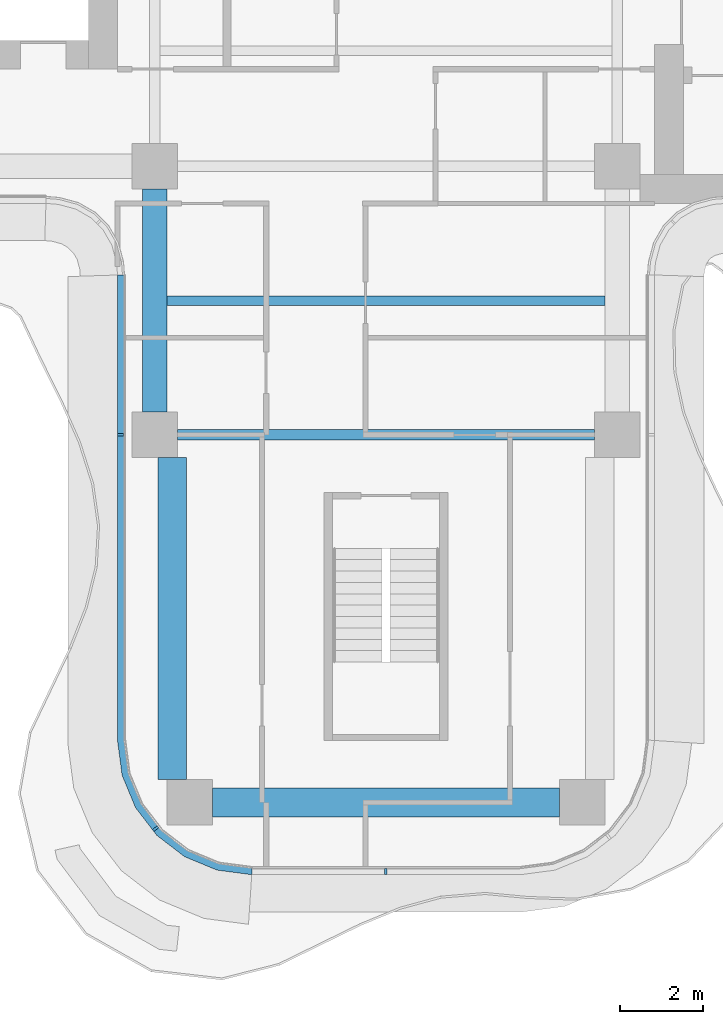
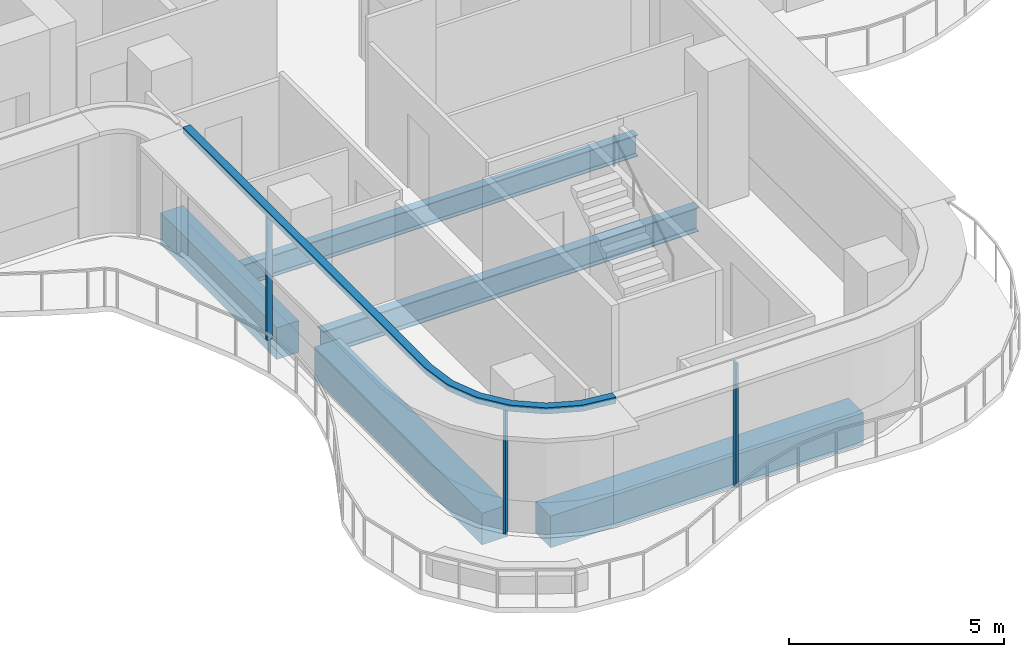
# One storey, part 2 of 17: 5 beams, 4 members, 2 elements without a shape of their own.
"""IFC4 building model written with IfcOpenShell, lengths in metres."""

from ifc_helpers import new_model, si_unit, direction, frame, origin, origin_2d, place, context, subcontext, project, spatial, polyline, rectangle, i_section, outline, extrude, source, transform, mapped, material, layer, layer_set, material_profile, profile_set, type_object, element, aggregate, save


model = new_model("IFC4")

# Units and contexts
model_context = context("Model", 3, precision=1e-05, world=origin(), true_north=direction((0.0, 1.0)))
body_context = subcontext(model_context, "Body", "Model", "MODEL_VIEW")
ifc_project = project(units=[si_unit("LENGTHUNIT", "METRE"), si_unit("AREAUNIT", "SQUARE_METRE"), si_unit("VOLUMEUNIT", "CUBIC_METRE"), si_unit("PLANEANGLEUNIT", "RADIAN"), si_unit("MASSUNIT", "GRAM", prefix="KILO")], contexts=[model_context])

# Site, building, storey
site_placement = place(None, origin())
site = spatial("IfcSite", under=ifc_project, at=site_placement, CompositionType="ELEMENT")
building_placement = place(site_placement, origin())
building = spatial("IfcBuilding", under=site, at=building_placement, Name="Trellis Farm Tower", CompositionType="ELEMENT")
storey_placement = place(building_placement, frame((0.0, 0.0, 259.699951171875)))
storey = spatial("IfcBuildingStorey", under=building, at=storey_placement, Name="L58", CompositionType="ELEMENT", Elevation=259.699951171875)

# Beams
ifc_material_1 = material(Name="Steel S355", Category="steel")
ifc_material_profile_1 = material_profile(ifc_material_1, i_section(OverallWidth=0.22900390625, OverallDepth=0.6123046875, WebThickness=0.011962890625, FlangeThickness=0.01953125, FilletRadius=0.0126953125, at=origin_2d()), Name="UB 610x229x125")
ifc_profile_set_1 = profile_set([ifc_material_profile_1], Name="Steel S355")
beam_type_1 = type_object("IfcBeamType", Name="UB 610x229x125 joist", PredefinedType="JOIST", material=ifc_profile_set_1)
shared_shape_1 = source(origin(), body_context, "Body", "SweptSolid", [
    extrude(i_section(OverallWidth=0.22900390625, OverallDepth=0.6123046875, WebThickness=0.011962890625, FlangeThickness=0.01953125, FilletRadius=0.0126953125, at=origin_2d()), origin(), (0.0, 0.0, 1.0), 10.60009765625),
])
beam_1_placement = place(storey_placement, frame((-5.300048828125, -8.85009765625, -0.506103515625), z_axis=(1.0, 0.0, 0.0), x_axis=(0.0, 1.0, 0.0)))
element("IfcBeam", 1, at=beam_1_placement, inside=storey, type_object=beam_type_1, Name="Floor beam", PredefinedType="JOIST", context=body_context, shape_type="MappedRepresentation", body=[
    mapped(shared_shape_1, transform((0.0, 0.0, 0.0))),
])
ifc_material_profile_2 = material_profile(ifc_material_1, i_section(OverallWidth=0.253662109375, OverallDepth=0.68359375, WebThickness=0.012451171875, FlangeThickness=0.021728515625, FilletRadius=0.01513671875, at=origin_2d()), Name="UB 686x254x140")
ifc_profile_set_2 = profile_set([ifc_material_profile_2], Name="Steel S355")
beam_type_2 = type_object("IfcBeamType", Name="UB 686x254x140", PredefinedType="BEAM", material=ifc_profile_set_2)
shared_shape_2 = source(origin(), body_context, "Body", "SweptSolid", [
    extrude(i_section(OverallWidth=0.253662109375, OverallDepth=0.68359375, WebThickness=0.012451171875, FlangeThickness=0.021728515625, FilletRadius=0.01513671875, at=origin_2d()), origin(), (0.0, 0.0, 1.0), 10.10009765625),
])
beam_2_placement = place(storey_placement, frame((-5.050048828125, -12.10009765625, -0.541748046875), z_axis=(1.0, 0.0, 0.0), x_axis=(0.0, 1.0, 0.0)))
element("IfcBeam", 2, at=beam_2_placement, inside=storey, type_object=beam_type_2, Name="Girder", PredefinedType="BEAM", context=body_context, shape_type="MappedRepresentation", body=[
    mapped(shared_shape_2, transform((0.0, 0.0, 0.0))),
])
ifc_material_2 = material(Name="Concrete C60/75", Category="concrete")
ifc_material_profile_3 = material_profile(ifc_material_2, rectangle(XDim=0.60009765625, YDim=0.89990234375, at=origin_2d()), Name="RC spandrel beam 600x900 C60/75")
ifc_profile_set_3 = profile_set([ifc_material_profile_3], Name="Concrete C60/75")
beam_type_3 = type_object("IfcBeamType", Name="RC spandrel beam 600x900 C60/75", PredefinedType="SPANDREL", material=ifc_profile_set_3)
shared_shape_3 = source(origin(), body_context, "Body", "SweptSolid", [
    extrude(rectangle(XDim=0.60009765625, YDim=0.89990234375, at=origin_2d()), origin(), (0.0, 0.0, 1.0), 5.400146484375),
])
beam_3_placement = place(storey_placement, frame((-5.60009765625, -11.550048828125, -0.64990234375), z_axis=(0.0, 1.0, 0.0), x_axis=(-1.0, 0.0, 0.0)))
element("IfcBeam", 3, at=beam_3_placement, inside=storey, type_object=beam_type_3, Name="Girder", PredefinedType="SPANDREL", context=body_context, shape_type="MappedRepresentation", body=[
    mapped(shared_shape_3, transform((0.0, 0.0, 0.0))),
])
ifc_material_profile_4 = material_profile(ifc_material_2, rectangle(XDim=0.699951171875, YDim=0.89990234375, at=origin_2d()), Name="RC spandrel beam 700x900 C60/75")
ifc_profile_set_4 = profile_set([ifc_material_profile_4], Name="Concrete C60/75")
beam_type_4 = type_object("IfcBeamType", Name="RC spandrel beam 700x900 C60/75", PredefinedType="SPANDREL", material=ifc_profile_set_4)
shared_shape_4 = source(origin(), body_context, "Body", "SweptSolid", [
    extrude(rectangle(XDim=0.699951171875, YDim=0.89990234375, at=origin_2d()), origin(), (0.0, 0.0, 1.0), 8.39990234375),
])
beam_4_placement = place(storey_placement, frame((-4.199951171875, -21.0, -0.64990234375), z_axis=(1.0, 0.0, 0.0), x_axis=(0.0, 1.0, 0.0)))
element("IfcBeam", 4, at=beam_4_placement, inside=storey, type_object=beam_type_4, Name="Girder", PredefinedType="SPANDREL", context=body_context, shape_type="MappedRepresentation", body=[
    mapped(shared_shape_4, transform((0.0, 0.0, 0.0))),
])
shared_shape_5 = source(origin(), body_context, "Body", "SweptSolid", [
    extrude(rectangle(XDim=0.699951171875, YDim=0.89990234375, at=origin_2d()), origin(), (0.0, 0.0, 1.0), 7.800048828125),
])
beam_5_placement = place(storey_placement, frame((-5.175048828125, -20.449951171875, -0.64990234375), z_axis=(0.0, 1.0, 0.0), x_axis=(-1.0, 0.0, 0.0)))
element("IfcBeam", 5, at=beam_5_placement, inside=storey, type_object=beam_type_4, Name="Girder", PredefinedType="SPANDREL", context=body_context, shape_type="MappedRepresentation", body=[
    mapped(shared_shape_5, transform((0.0, 0.0, 0.0))),
])

# Curtain wall, members
ifc_material_3 = material(Name="Aluminium and glass curtain wall", Category="aluminium")
ifc_layer_1 = layer(ifc_material_3, 0.18994140625)
ifc_layer_set_1 = layer_set([ifc_layer_1], Name="RIBBON CURTAIN WALL CW1")
curtain_wall_type = type_object("IfcCurtainWallType", Name="RIBBON CURTAIN WALL CW1", PredefinedType="NOTDEFINED", material=ifc_layer_set_1)
placement = place(storey_placement, origin())
curtain_wall_1 = element("IfcCurtainWall", 6, at=placement, inside=storey, type_object=curtain_wall_type, Name="CW1 002", PredefinedType="NOTDEFINED")
ifc_material_4 = material(Name="Aluminium extrusion 6063-T6", Category="aluminium")
ifc_material_profile_5 = material_profile(ifc_material_4, rectangle(XDim=0.06005859375, YDim=0.14990234375, at=origin_2d()), Name="MULLION 60x150")
ifc_profile_set_5 = profile_set([ifc_material_profile_5], Name="Aluminium extrusion 6063-T6")
member_type_1 = type_object("IfcMemberType", Name="CW1 MULLION 60x150", PredefinedType="MULLION", material=ifc_profile_set_5)
shared_shape_6 = source(origin(), body_context, "Body", "SweptSolid", [
    extrude(rectangle(XDim=0.06005859375, YDim=0.14990234375, at=origin_2d()), origin(), (0.0, 0.0, 1.0), 3.52001953125),
])
member_1_placement = place(storey_placement, frame((-6.425048828125, -12.10009765625, 0.0), z_axis=(0.0, 0.0, 1.0), x_axis=(0.0, -1.0, 0.0)))
member_1 = element("IfcMember", 7, at=member_1_placement, type_object=member_type_1, Name="MU1 002-01", PredefinedType="MULLION", context=body_context, shape_type="MappedRepresentation", body=[
    mapped(shared_shape_6, transform((0.0, 0.0, 0.0))),
])
member_2_placement = place(storey_placement, frame((-5.578369140625, -21.635498046875, 0.0), z_axis=(0.0, 0.0, 1.0), x_axis=(0.608761429009, -0.793353340291, 0.0)))
member_2 = element("IfcMember", 8, at=member_2_placement, type_object=member_type_1, Name="MU1 002-02", PredefinedType="MULLION", context=body_context, shape_type="MappedRepresentation", body=[
    mapped(shared_shape_6, transform((0.0, 0.0, 0.0))),
])

# Curtain wall, member
curtain_wall_2 = element("IfcCurtainWall", 9, at=placement, inside=storey, type_object=curtain_wall_type, Name="CW1 003", PredefinedType="NOTDEFINED")
member_3_placement = place(storey_placement, frame((0.0, -22.675048828125, 0.0), z_axis=(0.0, 0.0, 1.0), x_axis=(1.0, 0.0, 0.0)))
member_3 = element("IfcMember", 10, at=member_3_placement, type_object=member_type_1, Name="MU1 003-01", PredefinedType="MULLION", context=body_context, shape_type="MappedRepresentation", body=[
    mapped(shared_shape_6, transform((0.0, 0.0, 0.0))),
])
aggregate(curtain_wall_2, [member_3])

# Member
ifc_layer_2 = layer(ifc_material_4, 0.199951171875)
ifc_layer_set_2 = layer_set([ifc_layer_2], Name="Aluminium extrusion 6063-T6")
member_type_2 = type_object("IfcMemberType", Name="CW1 TRANSOM 200x180", PredefinedType="USERDEFINED", material=ifc_layer_set_2)
shared_shape_7 = source(origin(), body_context, "Body", "SweptSolid", [
    extrude(outline(polyline([(-6.5, -8.2314453125), (-6.5, -19.5), (-6.38916015625, -20.341064453125), (-6.064697265625, -21.125), (-5.548095703125, -21.798095703125), (-4.875, -22.314697265625), (-4.091064453125, -22.63916015625), (-3.25, -22.75), (-3.23681640625, -22.550048828125), (-4.0390625, -22.4443359375), (-4.774169921875, -22.139892578125), (-5.405517578125, -21.655517578125), (-5.889892578125, -21.024169921875), (-6.1943359375, -20.2890625), (-6.300048828125, -19.48681640625), (-6.300048828125, -8.224853515625), (-6.5, -8.2314453125)])), origin(), (0.0, 0.0, 1.0), 0.179931640625),
])
member_4_placement = place(storey_placement, frame((0.0, 0.0, 3.52001953125)))
member_4 = element("IfcMember", 11, at=member_4_placement, type_object=member_type_2, Name="TR1 002", ObjectType="TRANSOM", PredefinedType="USERDEFINED", context=body_context, shape_type="MappedRepresentation", body=[
    mapped(shared_shape_7, transform((0.0, 0.0, 0.0))),
])

aggregate(curtain_wall_1, [member_1, member_2, member_4])

save(model, "model.ifc")
